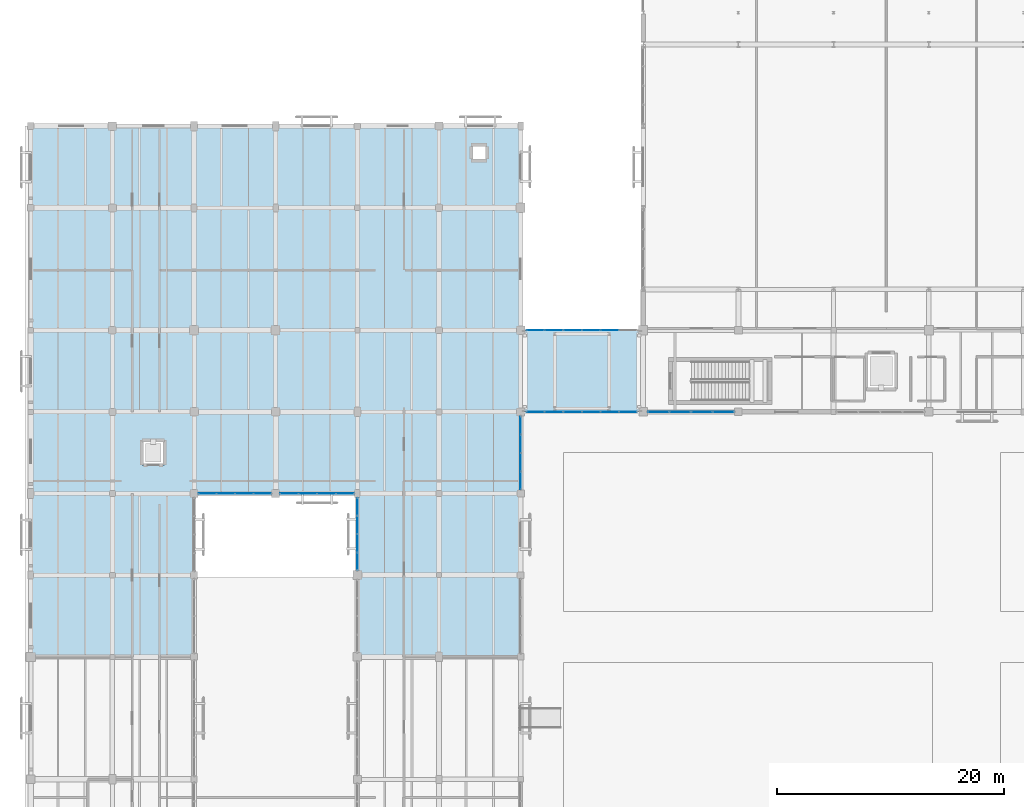
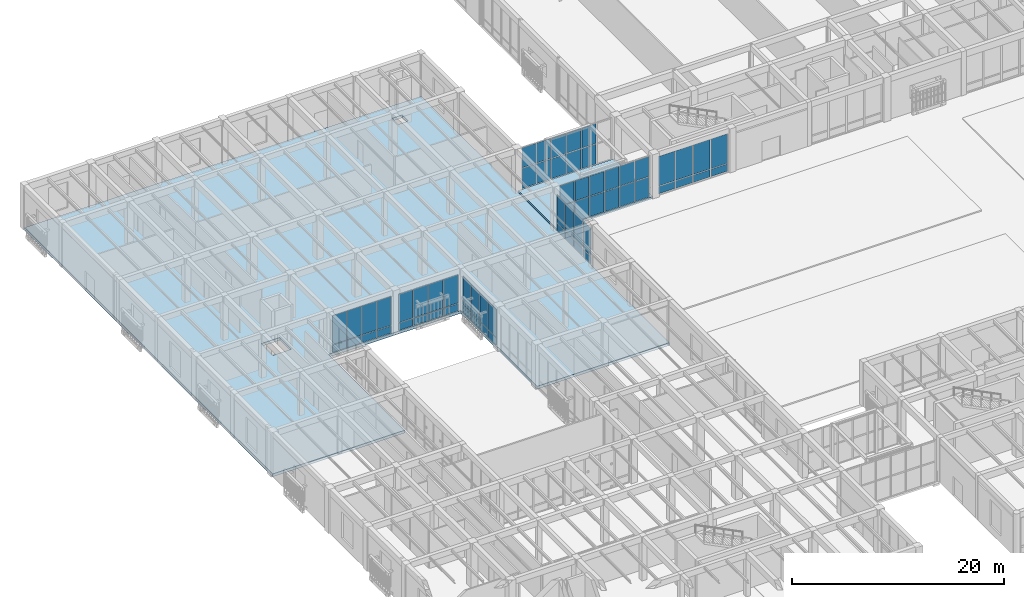
# One storey, part 113 of 169: 62 plates, 2 slabs, 7 elements without a shape of their own.
"""IFC4 building model written with IfcOpenShell, lengths in metres."""

from ifc_helpers import new_model, si_unit, direction, frame, origin, origin_2d, place, context, subcontext, project, spatial, polyline, rectangle, outline, extrude, material, layer, layer_set, type_object, element, aggregate, save


model = new_model("IFC4")

# Units and contexts
model_context = context("Model", 3, precision=1e-05, world=origin(), true_north=direction((0.0, 1.0)))
body_context = subcontext(model_context, "Body", "Model", "MODEL_VIEW")
ifc_project = project(units=[si_unit("LENGTHUNIT", "METRE"), si_unit("AREAUNIT", "SQUARE_METRE"), si_unit("VOLUMEUNIT", "CUBIC_METRE"), si_unit("PLANEANGLEUNIT", "RADIAN"), si_unit("MASSUNIT", "GRAM", prefix="KILO")], contexts=[model_context])

# Site, building, storey
site_placement = place(None, origin())
site = spatial("IfcSite", under=ifc_project, at=site_placement, CompositionType="ELEMENT")
building_placement = place(site_placement, origin())
building = spatial("IfcBuilding", under=site, at=building_placement, Name="Mazaris Harbour Polytechnic", CompositionType="ELEMENT")
storey_placement = place(building_placement, origin())
storey = spatial("IfcBuildingStorey", under=building, at=storey_placement, Name="L00", CompositionType="ELEMENT", Elevation=0.0)

# Curtain wall, plates
ifc_material_1 = material(Name="Anodised Bronze Aluminium and Low-E Glass", Category="aluminium")
ifc_layer_1 = layer(ifc_material_1, 0.14990234375, Name="Anodised Bronze Aluminium and Low-E Glass")
ifc_layer_set_1 = layer_set([ifc_layer_1], Name="Anodised Bronze Aluminium and Low-E Glass")
curtain_wall_type_1 = type_object("IfcCurtainWallType", Name="Workshop Clerestory Curtain Wall", PredefinedType="NOTDEFINED", material=ifc_layer_set_1)
curtain_wall_1_placement = place(storey_placement, origin())
curtain_wall_1 = element("IfcCurtainWall", 1, at=curtain_wall_1_placement, inside=storey, type_object=curtain_wall_type_1, Name="V1 L00 Curtain Wall 1", PredefinedType="NOTDEFINED")
ifc_material_2 = material(Name="Acoustic Low-E Double Glazing", Category="glass")
ifc_layer_2 = layer(ifc_material_2, 0.033935546875, Name="Acoustic Low-E Double Glazing")
ifc_layer_set_2 = layer_set([ifc_layer_2], Name="Acoustic Low-E Double Glazing")
plate_type_1 = type_object("IfcPlateType", Name="Acoustic Laminated Glass Panel 34", PredefinedType="CURTAIN_PANEL", material=ifc_layer_set_2)
plate_1_placement = place(storey_placement, frame((61.093505859375, 75.60009765625, 0.080078125), z_axis=(0.0, 0.0, 1.0), x_axis=(-1.0, 0.0, 0.0)))
plate_1 = element("IfcPlate", 2, at=plate_1_placement, type_object=plate_type_1, Name="CW-04 panel 1.1", PredefinedType="CURTAIN_PANEL", context=body_context, shape_type="SweptSolid", body=[
    extrude(rectangle(XDim=1.779052734375, YDim=0.033935546875, at=origin_2d()), origin(), (0.0, 0.0, 1.0), 0.830078125),
])
plate_2_placement = place(storey_placement, frame((61.093505859375, 75.60009765625, 0.989990234375), z_axis=(0.0, 0.0, 1.0), x_axis=(-1.0, 0.0, 0.0)))
plate_2 = element("IfcPlate", 3, at=plate_2_placement, type_object=plate_type_1, Name="CW-04 panel 1.2", PredefinedType="CURTAIN_PANEL", context=body_context, shape_type="SweptSolid", body=[
    extrude(rectangle(XDim=1.779052734375, YDim=0.033935546875, at=origin_2d()), origin(), (0.0, 0.0, 1.0), 3.39990234375),
])
plate_3_placement = place(storey_placement, frame((59.189453125, 75.60009765625, 0.080078125), z_axis=(0.0, 0.0, 1.0), x_axis=(-1.0, 0.0, 0.0)))
plate_3 = element("IfcPlate", 4, at=plate_3_placement, type_object=plate_type_1, Name="CW-04 panel 2.1", PredefinedType="CURTAIN_PANEL", context=body_context, shape_type="SweptSolid", body=[
    extrude(rectangle(XDim=1.8291015625, YDim=0.033935546875, at=origin_2d()), origin(), (0.0, 0.0, 1.0), 0.830078125),
])
plate_4_placement = place(storey_placement, frame((59.189453125, 75.60009765625, 0.989990234375), z_axis=(0.0, 0.0, 1.0), x_axis=(-1.0, 0.0, 0.0)))
plate_4 = element("IfcPlate", 5, at=plate_4_placement, type_object=plate_type_1, Name="CW-04 panel 2.2", PredefinedType="CURTAIN_PANEL", context=body_context, shape_type="SweptSolid", body=[
    extrude(rectangle(XDim=1.8291015625, YDim=0.033935546875, at=origin_2d()), origin(), (0.0, 0.0, 1.0), 3.39990234375),
])
plate_5_placement = place(storey_placement, frame((57.260498046875, 75.60009765625, 0.080078125), z_axis=(0.0, 0.0, 1.0), x_axis=(-1.0, 0.0, 0.0)))
plate_5 = element("IfcPlate", 6, at=plate_5_placement, type_object=plate_type_1, Name="CW-04 panel 3.1", PredefinedType="CURTAIN_PANEL", context=body_context, shape_type="SweptSolid", body=[
    extrude(rectangle(XDim=1.8291015625, YDim=0.033935546875, at=origin_2d()), origin(), (0.0, 0.0, 1.0), 0.830078125),
])
plate_6_placement = place(storey_placement, frame((57.260498046875, 75.60009765625, 0.989990234375), z_axis=(0.0, 0.0, 1.0), x_axis=(-1.0, 0.0, 0.0)))
plate_6 = element("IfcPlate", 7, at=plate_6_placement, type_object=plate_type_1, Name="CW-04 panel 3.2", PredefinedType="CURTAIN_PANEL", context=body_context, shape_type="SweptSolid", body=[
    extrude(rectangle(XDim=1.8291015625, YDim=0.033935546875, at=origin_2d()), origin(), (0.0, 0.0, 1.0), 3.39990234375),
])
plate_7_placement = place(storey_placement, frame((55.3564453125, 75.60009765625, 0.080078125), z_axis=(0.0, 0.0, 1.0), x_axis=(-1.0, 0.0, 0.0)))
plate_7 = element("IfcPlate", 8, at=plate_7_placement, type_object=plate_type_1, Name="CW-04 panel 4.1", PredefinedType="CURTAIN_PANEL", context=body_context, shape_type="SweptSolid", body=[
    extrude(rectangle(XDim=1.779052734375, YDim=0.033935546875, at=origin_2d()), origin(), (0.0, 0.0, 1.0), 0.830078125),
])
plate_8_placement = place(storey_placement, frame((55.3564453125, 75.60009765625, 0.989990234375), z_axis=(0.0, 0.0, 1.0), x_axis=(-1.0, 0.0, 0.0)))
plate_8 = element("IfcPlate", 9, at=plate_8_placement, type_object=plate_type_1, Name="CW-04 panel 4.2", PredefinedType="CURTAIN_PANEL", context=body_context, shape_type="SweptSolid", body=[
    extrude(rectangle(XDim=1.779052734375, YDim=0.033935546875, at=origin_2d()), origin(), (0.0, 0.0, 1.0), 3.39990234375),
])
aggregate(curtain_wall_1, [plate_1, plate_2, plate_3, plate_4, plate_5, plate_6, plate_7, plate_8])

# Slab
ifc_material_3 = material(Name="Glulam GL28h and Concrete C30/37", Category="concrete")
ifc_layer_3 = layer(ifc_material_3, 0.264892578125, Name="Glulam GL28h and Concrete C30/37")
ifc_layer_set_3 = layer_set([ifc_layer_3], Name="Glulam GL28h and Concrete C30/37")
slab_type_1 = type_object("IfcSlabType", Name="CLT Composite Floor 265", PredefinedType="FLOOR", material=ifc_layer_set_3)
slab_1_placement = place(storey_placement, frame((0.0, 0.0, -0.264892578125)))
element("IfcSlab", 10, at=slab_1_placement, inside=storey, type_object=slab_type_1, Name="PB-W2 L00 Bridge Deck", PredefinedType="FLOOR", context=body_context, shape_type="SweptSolid", body=[
    extrude(outline(polyline([(53.85009765625, 75.60009765625), (53.85009765625, 82.800048828125), (43.35009765625, 82.800048828125), (43.35009765625, 75.60009765625), (53.85009765625, 75.60009765625)])), origin(), (0.0, 0.0, 1.0), 0.264892578125),
])

# Curtain wall, plates
ifc_material_4 = material(Name="Anodised Bronze Aluminium and Low-E Glass", Category="aluminium")
ifc_layer_4 = layer(ifc_material_4, 0.159912109375, Name="Anodised Bronze Aluminium and Low-E Glass")
ifc_layer_set_4 = layer_set([ifc_layer_4], Name="Anodised Bronze Aluminium and Low-E Glass")
curtain_wall_type_2 = type_object("IfcCurtainWallType", Name="Cloister Court Curtain Wall", PredefinedType="NOTDEFINED", material=ifc_layer_set_4)
curtain_wall_2_placement = place(storey_placement, origin())
curtain_wall_2 = element("IfcCurtainWall", 11, at=curtain_wall_2_placement, inside=storey, type_object=curtain_wall_type_2, Name="V4 L00 Curtain Wall 98", PredefinedType="NOTDEFINED")
ifc_material_5 = material(Name="Low-E Double Glazing", Category="glass")
ifc_layer_5 = layer(ifc_material_5, 0.028076171875, Name="Low-E Double Glazing")
ifc_layer_set_5 = layer_set([ifc_layer_5], Name="Low-E Double Glazing")
plate_type_2 = type_object("IfcPlateType", Name="Low-E Vision Glass Panel 28", PredefinedType="CURTAIN_PANEL", material=ifc_layer_set_5)
plate_9_placement = place(storey_placement, frame((43.199951171875, 74.42041015625, 0.080078125), z_axis=(0.0, 0.0, 1.0), x_axis=(0.0, -1.0, 0.0)))
plate_9 = element("IfcPlate", 12, at=plate_9_placement, type_object=plate_type_2, Name="CW-02 panel 1.1", PredefinedType="CURTAIN_PANEL", context=body_context, shape_type="SweptSolid", body=[
    extrude(rectangle(XDim=1.51513671875, YDim=0.028076171875, at=origin_2d()), origin(), (0.0, 0.0, 1.0), 0.830078125),
])
plate_10_placement = place(storey_placement, frame((43.199951171875, 74.42041015625, 0.990234375), z_axis=(0.0, 0.0, 1.0), x_axis=(0.0, -1.0, 0.0)))
plate_10 = element("IfcPlate", 13, at=plate_10_placement, type_object=plate_type_2, Name="CW-02 panel 1.2", PredefinedType="CURTAIN_PANEL", context=body_context, shape_type="SweptSolid", body=[
    extrude(rectangle(XDim=1.51513671875, YDim=0.028076171875, at=origin_2d()), origin(), (0.0, 0.0, 1.0), 3.219970703125),
])
plate_11_placement = place(storey_placement, frame((43.199951171875, 72.80517578125, 0.080078125), z_axis=(0.0, 0.0, 1.0), x_axis=(0.0, -1.0, 0.0)))
plate_11 = element("IfcPlate", 14, at=plate_11_placement, type_object=plate_type_2, Name="CW-02 panel 2.1", PredefinedType="CURTAIN_PANEL", context=body_context, shape_type="SweptSolid", body=[
    extrude(rectangle(XDim=1.55517578125, YDim=0.028076171875, at=origin_2d()), origin(), (0.0, 0.0, 1.0), 0.830078125),
])
plate_12_placement = place(storey_placement, frame((43.199951171875, 72.80517578125, 0.990234375), z_axis=(0.0, 0.0, 1.0), x_axis=(0.0, -1.0, 0.0)))
plate_12 = element("IfcPlate", 15, at=plate_12_placement, type_object=plate_type_2, Name="CW-02 panel 2.2", PredefinedType="CURTAIN_PANEL", context=body_context, shape_type="SweptSolid", body=[
    extrude(rectangle(XDim=1.55517578125, YDim=0.028076171875, at=origin_2d()), origin(), (0.0, 0.0, 1.0), 3.219970703125),
])
plate_13_placement = place(storey_placement, frame((43.199951171875, 71.169921875, 0.080078125), z_axis=(0.0, 0.0, 1.0), x_axis=(0.0, -1.0, 0.0)))
plate_13 = element("IfcPlate", 16, at=plate_13_placement, type_object=plate_type_2, Name="CW-02 panel 3.1", PredefinedType="CURTAIN_PANEL", context=body_context, shape_type="SweptSolid", body=[
    extrude(rectangle(XDim=1.55517578125, YDim=0.028076171875, at=origin_2d()), origin(), (0.0, 0.0, 1.0), 0.830078125),
])
plate_14_placement = place(storey_placement, frame((43.199951171875, 71.169921875, 0.990234375), z_axis=(0.0, 0.0, 1.0), x_axis=(0.0, -1.0, 0.0)))
plate_14 = element("IfcPlate", 17, at=plate_14_placement, type_object=plate_type_2, Name="CW-02 panel 3.2", PredefinedType="CURTAIN_PANEL", context=body_context, shape_type="SweptSolid", body=[
    extrude(rectangle(XDim=1.55517578125, YDim=0.028076171875, at=origin_2d()), origin(), (0.0, 0.0, 1.0), 3.219970703125),
])
plate_15_placement = place(storey_placement, frame((43.199951171875, 69.5546875, 0.080078125), z_axis=(0.0, 0.0, 1.0), x_axis=(0.0, -1.0, 0.0)))
plate_15 = element("IfcPlate", 18, at=plate_15_placement, type_object=plate_type_2, Name="CW-02 panel 4.1", PredefinedType="CURTAIN_PANEL", context=body_context, shape_type="SweptSolid", body=[
    extrude(rectangle(XDim=1.51513671875, YDim=0.028076171875, at=origin_2d()), origin(), (0.0, 0.0, 1.0), 0.830078125),
])
plate_16_placement = place(storey_placement, frame((43.199951171875, 69.5546875, 0.990234375), z_axis=(0.0, 0.0, 1.0), x_axis=(0.0, -1.0, 0.0)))
plate_16 = element("IfcPlate", 19, at=plate_16_placement, type_object=plate_type_2, Name="CW-02 panel 4.2", PredefinedType="CURTAIN_PANEL", context=body_context, shape_type="SweptSolid", body=[
    extrude(rectangle(XDim=1.51513671875, YDim=0.028076171875, at=origin_2d()), origin(), (0.0, 0.0, 1.0), 3.219970703125),
])
aggregate(curtain_wall_2, [plate_9, plate_10, plate_11, plate_12, plate_13, plate_14, plate_15, plate_16])

curtain_wall_3_placement = place(storey_placement, origin())
curtain_wall_3 = element("IfcCurtainWall", 20, at=curtain_wall_3_placement, inside=storey, type_object=curtain_wall_type_2, Name="V4 L00 Curtain Wall 101", PredefinedType="NOTDEFINED")
plate_17_placement = place(storey_placement, frame((20.423583984375, 68.39990234375, 0.080078125), z_axis=(0.0, 0.0, 1.0), x_axis=(-1.0, 0.0, 0.0)))
plate_17 = element("IfcPlate", 21, at=plate_17_placement, type_object=plate_type_2, Name="CW-02 panel 1.1", PredefinedType="CURTAIN_PANEL", context=body_context, shape_type="SweptSolid", body=[
    extrude(rectangle(XDim=1.509033203125, YDim=0.028076171875, at=origin_2d()), origin(), (0.0, 0.0, 1.0), 0.830078125),
])
plate_18_placement = place(storey_placement, frame((20.423583984375, 68.39990234375, 0.98974609375), z_axis=(0.0, 0.0, 1.0), x_axis=(-1.0, 0.0, 0.0)))
plate_18 = element("IfcPlate", 22, at=plate_18_placement, type_object=plate_type_2, Name="CW-02 panel 1.2", PredefinedType="CURTAIN_PANEL", context=body_context, shape_type="SweptSolid", body=[
    extrude(rectangle(XDim=1.509033203125, YDim=0.028076171875, at=origin_2d()), origin(), (0.0, 0.0, 1.0), 3.320068359375),
])
plate_19_placement = place(storey_placement, frame((18.814453125, 68.39990234375, 0.080078125), z_axis=(0.0, 0.0, 1.0), x_axis=(-1.0, 0.0, 0.0)))
plate_19 = element("IfcPlate", 23, at=plate_19_placement, type_object=plate_type_2, Name="CW-02 panel 2.1", PredefinedType="CURTAIN_PANEL", context=body_context, shape_type="SweptSolid", body=[
    extrude(rectangle(XDim=1.549072265625, YDim=0.028076171875, at=origin_2d()), origin(), (0.0, 0.0, 1.0), 0.830078125),
])
plate_20_placement = place(storey_placement, frame((18.814453125, 68.39990234375, 0.98974609375), z_axis=(0.0, 0.0, 1.0), x_axis=(-1.0, 0.0, 0.0)))
plate_20 = element("IfcPlate", 24, at=plate_20_placement, type_object=plate_type_2, Name="CW-02 panel 2.2", PredefinedType="CURTAIN_PANEL", context=body_context, shape_type="SweptSolid", body=[
    extrude(rectangle(XDim=1.549072265625, YDim=0.028076171875, at=origin_2d()), origin(), (0.0, 0.0, 1.0), 3.320068359375),
])
plate_21_placement = place(storey_placement, frame((17.185546875, 68.39990234375, 0.080078125), z_axis=(0.0, 0.0, 1.0), x_axis=(-1.0, 0.0, 0.0)))
plate_21 = element("IfcPlate", 25, at=plate_21_placement, type_object=plate_type_2, Name="CW-02 panel 3.1", PredefinedType="CURTAIN_PANEL", context=body_context, shape_type="SweptSolid", body=[
    extrude(rectangle(XDim=1.549072265625, YDim=0.028076171875, at=origin_2d()), origin(), (0.0, 0.0, 1.0), 0.830078125),
])
plate_22_placement = place(storey_placement, frame((17.185546875, 68.39990234375, 0.98974609375), z_axis=(0.0, 0.0, 1.0), x_axis=(-1.0, 0.0, 0.0)))
plate_22 = element("IfcPlate", 26, at=plate_22_placement, type_object=plate_type_2, Name="CW-02 panel 3.2", PredefinedType="CURTAIN_PANEL", context=body_context, shape_type="SweptSolid", body=[
    extrude(rectangle(XDim=1.549072265625, YDim=0.028076171875, at=origin_2d()), origin(), (0.0, 0.0, 1.0), 3.320068359375),
])
plate_23_placement = place(storey_placement, frame((15.576416015625, 68.39990234375, 0.080078125), z_axis=(0.0, 0.0, 1.0), x_axis=(-1.0, 0.0, 0.0)))
plate_23 = element("IfcPlate", 27, at=plate_23_placement, type_object=plate_type_2, Name="CW-02 panel 4.1", PredefinedType="CURTAIN_PANEL", context=body_context, shape_type="SweptSolid", body=[
    extrude(rectangle(XDim=1.509033203125, YDim=0.028076171875, at=origin_2d()), origin(), (0.0, 0.0, 1.0), 0.830078125),
])
plate_24_placement = place(storey_placement, frame((15.576416015625, 68.39990234375, 0.98974609375), z_axis=(0.0, 0.0, 1.0), x_axis=(-1.0, 0.0, 0.0)))
plate_24 = element("IfcPlate", 28, at=plate_24_placement, type_object=plate_type_2, Name="CW-02 panel 4.2", PredefinedType="CURTAIN_PANEL", context=body_context, shape_type="SweptSolid", body=[
    extrude(rectangle(XDim=1.509033203125, YDim=0.028076171875, at=origin_2d()), origin(), (0.0, 0.0, 1.0), 3.320068359375),
])
aggregate(curtain_wall_3, [plate_17, plate_18, plate_19, plate_20, plate_21, plate_22, plate_23, plate_24])

curtain_wall_4_placement = place(storey_placement, origin())
curtain_wall_4 = element("IfcCurtainWall", 29, at=curtain_wall_4_placement, inside=storey, type_object=curtain_wall_type_2, Name="V4 L00 Curtain Wall 102", PredefinedType="NOTDEFINED")
plate_25_placement = place(storey_placement, frame((27.7109375, 68.39990234375, 0.080078125), z_axis=(0.0, 0.0, 1.0), x_axis=(-1.0, 0.0, 0.0)))
plate_25 = element("IfcPlate", 30, at=plate_25_placement, type_object=plate_type_2, Name="CW-02 panel 1.1", PredefinedType="CURTAIN_PANEL", context=body_context, shape_type="SweptSolid", body=[
    extrude(rectangle(XDim=1.533935546875, YDim=0.028076171875, at=origin_2d()), origin(), (0.0, 0.0, 1.0), 0.830078125),
])
plate_26_placement = place(storey_placement, frame((27.7109375, 68.39990234375, 0.989990234375), z_axis=(0.0, 0.0, 1.0), x_axis=(-1.0, 0.0, 0.0)))
plate_26 = element("IfcPlate", 31, at=plate_26_placement, type_object=plate_type_2, Name="CW-02 panel 1.2", PredefinedType="CURTAIN_PANEL", context=body_context, shape_type="SweptSolid", body=[
    extrude(rectangle(XDim=1.533935546875, YDim=0.028076171875, at=origin_2d()), origin(), (0.0, 0.0, 1.0), 3.27001953125),
])
plate_27_placement = place(storey_placement, frame((26.076904296875, 68.39990234375, 0.080078125), z_axis=(0.0, 0.0, 1.0), x_axis=(-1.0, 0.0, 0.0)))
plate_27 = element("IfcPlate", 32, at=plate_27_placement, type_object=plate_type_2, Name="CW-02 panel 2.1", PredefinedType="CURTAIN_PANEL", context=body_context, shape_type="SweptSolid", body=[
    extrude(rectangle(XDim=1.573974609375, YDim=0.028076171875, at=origin_2d()), origin(), (0.0, 0.0, 1.0), 0.830078125),
])
plate_28_placement = place(storey_placement, frame((26.076904296875, 68.39990234375, 0.989990234375), z_axis=(0.0, 0.0, 1.0), x_axis=(-1.0, 0.0, 0.0)))
plate_28 = element("IfcPlate", 33, at=plate_28_placement, type_object=plate_type_2, Name="CW-02 panel 2.2", PredefinedType="CURTAIN_PANEL", context=body_context, shape_type="SweptSolid", body=[
    extrude(rectangle(XDim=1.573974609375, YDim=0.028076171875, at=origin_2d()), origin(), (0.0, 0.0, 1.0), 3.27001953125),
])
plate_29_placement = place(storey_placement, frame((24.423095703125, 68.39990234375, 0.080078125), z_axis=(0.0, 0.0, 1.0), x_axis=(-1.0, 0.0, 0.0)))
plate_29 = element("IfcPlate", 34, at=plate_29_placement, type_object=plate_type_2, Name="CW-02 panel 3.1", PredefinedType="CURTAIN_PANEL", context=body_context, shape_type="SweptSolid", body=[
    extrude(rectangle(XDim=1.573974609375, YDim=0.028076171875, at=origin_2d()), origin(), (0.0, 0.0, 1.0), 0.830078125),
])
plate_30_placement = place(storey_placement, frame((24.423095703125, 68.39990234375, 0.989990234375), z_axis=(0.0, 0.0, 1.0), x_axis=(-1.0, 0.0, 0.0)))
plate_30 = element("IfcPlate", 35, at=plate_30_placement, type_object=plate_type_2, Name="CW-02 panel 3.2", PredefinedType="CURTAIN_PANEL", context=body_context, shape_type="SweptSolid", body=[
    extrude(rectangle(XDim=1.573974609375, YDim=0.028076171875, at=origin_2d()), origin(), (0.0, 0.0, 1.0), 3.27001953125),
])
plate_31_placement = place(storey_placement, frame((22.7890625, 68.39990234375, 0.080078125), z_axis=(0.0, 0.0, 1.0), x_axis=(-1.0, 0.0, 0.0)))
plate_31 = element("IfcPlate", 36, at=plate_31_placement, type_object=plate_type_2, Name="CW-02 panel 4.1", PredefinedType="CURTAIN_PANEL", context=body_context, shape_type="SweptSolid", body=[
    extrude(rectangle(XDim=1.533935546875, YDim=0.028076171875, at=origin_2d()), origin(), (0.0, 0.0, 1.0), 0.830078125),
])
plate_32_placement = place(storey_placement, frame((22.7890625, 68.39990234375, 0.989990234375), z_axis=(0.0, 0.0, 1.0), x_axis=(-1.0, 0.0, 0.0)))
plate_32 = element("IfcPlate", 37, at=plate_32_placement, type_object=plate_type_2, Name="CW-02 panel 4.2", PredefinedType="CURTAIN_PANEL", context=body_context, shape_type="SweptSolid", body=[
    extrude(rectangle(XDim=1.533935546875, YDim=0.028076171875, at=origin_2d()), origin(), (0.0, 0.0, 1.0), 3.27001953125),
])
aggregate(curtain_wall_4, [plate_25, plate_26, plate_27, plate_28, plate_29, plate_30, plate_31, plate_32])

curtain_wall_5_placement = place(storey_placement, origin())
curtain_wall_5 = element("IfcCurtainWall", 38, at=curtain_wall_5_placement, inside=storey, type_object=curtain_wall_type_2, Name="V4 L00 Curtain Wall 110", PredefinedType="NOTDEFINED")
plate_33_placement = place(storey_placement, frame((28.800048828125, 67.229736328125, 0.080078125), z_axis=(0.0, 0.0, 1.0), x_axis=(0.0, -1.0, 0.0)))
plate_33 = element("IfcPlate", 39, at=plate_33_placement, type_object=plate_type_2, Name="CW-02 panel 1.1", PredefinedType="CURTAIN_PANEL", context=body_context, shape_type="SweptSolid", body=[
    extrude(rectangle(XDim=1.49658203125, YDim=0.028076171875, at=origin_2d()), origin(), (0.0, 0.0, 1.0), 0.830078125),
])
plate_34_placement = place(storey_placement, frame((28.800048828125, 67.229736328125, 0.990234375), z_axis=(0.0, 0.0, 1.0), x_axis=(0.0, -1.0, 0.0)))
plate_34 = element("IfcPlate", 40, at=plate_34_placement, type_object=plate_type_2, Name="CW-02 panel 1.2", PredefinedType="CURTAIN_PANEL", context=body_context, shape_type="SweptSolid", body=[
    extrude(rectangle(XDim=1.49658203125, YDim=0.028076171875, at=origin_2d()), origin(), (0.0, 0.0, 1.0), 3.219970703125),
])
plate_35_placement = place(storey_placement, frame((28.800048828125, 65.63330078125, 0.080078125), z_axis=(0.0, 0.0, 1.0), x_axis=(0.0, -1.0, 0.0)))
plate_35 = element("IfcPlate", 41, at=plate_35_placement, type_object=plate_type_2, Name="CW-02 panel 2.1", PredefinedType="CURTAIN_PANEL", context=body_context, shape_type="SweptSolid", body=[
    extrude(rectangle(XDim=1.53662109375, YDim=0.028076171875, at=origin_2d()), origin(), (0.0, 0.0, 1.0), 0.830078125),
])
plate_36_placement = place(storey_placement, frame((28.800048828125, 65.63330078125, 0.990234375), z_axis=(0.0, 0.0, 1.0), x_axis=(0.0, -1.0, 0.0)))
plate_36 = element("IfcPlate", 42, at=plate_36_placement, type_object=plate_type_2, Name="CW-02 panel 2.2", PredefinedType="CURTAIN_PANEL", context=body_context, shape_type="SweptSolid", body=[
    extrude(rectangle(XDim=1.53662109375, YDim=0.028076171875, at=origin_2d()), origin(), (0.0, 0.0, 1.0), 3.219970703125),
])
plate_37_placement = place(storey_placement, frame((28.800048828125, 64.016845703125, 0.080078125), z_axis=(0.0, 0.0, 1.0), x_axis=(0.0, -1.0, 0.0)))
plate_37 = element("IfcPlate", 43, at=plate_37_placement, type_object=plate_type_2, Name="CW-02 panel 3.1", PredefinedType="CURTAIN_PANEL", context=body_context, shape_type="SweptSolid", body=[
    extrude(rectangle(XDim=1.53662109375, YDim=0.028076171875, at=origin_2d()), origin(), (0.0, 0.0, 1.0), 0.830078125),
])
plate_38_placement = place(storey_placement, frame((28.800048828125, 64.016845703125, 0.990234375), z_axis=(0.0, 0.0, 1.0), x_axis=(0.0, -1.0, 0.0)))
plate_38 = element("IfcPlate", 44, at=plate_38_placement, type_object=plate_type_2, Name="CW-02 panel 3.2", PredefinedType="CURTAIN_PANEL", context=body_context, shape_type="SweptSolid", body=[
    extrude(rectangle(XDim=1.53662109375, YDim=0.028076171875, at=origin_2d()), origin(), (0.0, 0.0, 1.0), 3.219970703125),
])
plate_39_placement = place(storey_placement, frame((28.800048828125, 62.420166015625, 0.080078125), z_axis=(0.0, 0.0, 1.0), x_axis=(0.0, -1.0, 0.0)))
plate_39 = element("IfcPlate", 45, at=plate_39_placement, type_object=plate_type_2, Name="CW-02 panel 4.1", PredefinedType="CURTAIN_PANEL", context=body_context, shape_type="SweptSolid", body=[
    extrude(rectangle(XDim=1.49658203125, YDim=0.028076171875, at=origin_2d()), origin(), (0.0, 0.0, 1.0), 0.830078125),
])
plate_40_placement = place(storey_placement, frame((28.800048828125, 62.420166015625, 0.990234375), z_axis=(0.0, 0.0, 1.0), x_axis=(0.0, -1.0, 0.0)))
plate_40 = element("IfcPlate", 46, at=plate_40_placement, type_object=plate_type_2, Name="CW-02 panel 4.2", PredefinedType="CURTAIN_PANEL", context=body_context, shape_type="SweptSolid", body=[
    extrude(rectangle(XDim=1.49658203125, YDim=0.028076171875, at=origin_2d()), origin(), (0.0, 0.0, 1.0), 3.219970703125),
])
aggregate(curtain_wall_5, [plate_33, plate_34, plate_35, plate_36, plate_37, plate_38, plate_39, plate_40])

ifc_material_6 = material(Name="Anodised Bronze Aluminium and Low-E Glass", Category="aluminium")
ifc_layer_6 = layer(ifc_material_6, 0.139892578125, Name="Anodised Bronze Aluminium and Low-E Glass")
ifc_layer_set_6 = layer_set([ifc_layer_6], Name="Anodised Bronze Aluminium and Low-E Glass")
curtain_wall_type_3 = type_object("IfcCurtainWallType", Name="Seismic Link Bridge Glazing", PredefinedType="NOTDEFINED", material=ifc_layer_set_6)
curtain_wall_6_placement = place(storey_placement, origin())
curtain_wall_6 = element("IfcCurtainWall", 47, at=curtain_wall_6_placement, inside=storey, type_object=curtain_wall_type_3, Name="PB-W2 L00 Bridge Glazing", PredefinedType="NOTDEFINED")
plate_41_placement = place(storey_placement, frame((44.52001953125, 75.60009765625, 0.080078125), z_axis=(0.0, 0.0, 1.0), x_axis=(1.0, 0.0, 0.0)))
plate_41 = element("IfcPlate", 48, at=plate_41_placement, type_object=plate_type_2, Name="CW-05 panel 1.1", PredefinedType="CURTAIN_PANEL", context=body_context, shape_type="SweptSolid", body=[
    extrude(rectangle(XDim=1.52001953125, YDim=0.028076171875, at=origin_2d()), origin(), (0.0, 0.0, 1.0), 2.297607421875),
])
plate_42_placement = place(storey_placement, frame((44.52001953125, 75.60009765625, 2.45751953125), z_axis=(0.0, 0.0, 1.0), x_axis=(1.0, 0.0, 0.0)))
plate_42 = element("IfcPlate", 49, at=plate_42_placement, type_object=plate_type_2, Name="CW-05 panel 1.2", PredefinedType="CURTAIN_PANEL", context=body_context, shape_type="SweptSolid", body=[
    extrude(rectangle(XDim=1.52001953125, YDim=0.028076171875, at=origin_2d()), origin(), (0.0, 0.0, 1.0), 2.297607421875),
])
plate_43_placement = place(storey_placement, frame((46.139892578125, 75.60009765625, 0.080078125), z_axis=(0.0, 0.0, 1.0), x_axis=(1.0, 0.0, 0.0)))
plate_43 = element("IfcPlate", 50, at=plate_43_placement, type_object=plate_type_2, Name="CW-05 panel 2.1", PredefinedType="CURTAIN_PANEL", context=body_context, shape_type="SweptSolid", body=[
    extrude(rectangle(XDim=1.56005859375, YDim=0.028076171875, at=origin_2d()), origin(), (0.0, 0.0, 1.0), 2.297607421875),
])
plate_44_placement = place(storey_placement, frame((46.139892578125, 75.60009765625, 2.45751953125), z_axis=(0.0, 0.0, 1.0), x_axis=(1.0, 0.0, 0.0)))
plate_44 = element("IfcPlate", 51, at=plate_44_placement, type_object=plate_type_2, Name="CW-05 panel 2.2", PredefinedType="CURTAIN_PANEL", context=body_context, shape_type="SweptSolid", body=[
    extrude(rectangle(XDim=1.56005859375, YDim=0.028076171875, at=origin_2d()), origin(), (0.0, 0.0, 1.0), 2.297607421875),
])
plate_45_placement = place(storey_placement, frame((47.780029296875, 75.60009765625, 0.080078125), z_axis=(0.0, 0.0, 1.0), x_axis=(1.0, 0.0, 0.0)))
plate_45 = element("IfcPlate", 52, at=plate_45_placement, type_object=plate_type_2, Name="CW-05 panel 3.1", PredefinedType="CURTAIN_PANEL", context=body_context, shape_type="SweptSolid", body=[
    extrude(rectangle(XDim=1.56005859375, YDim=0.028076171875, at=origin_2d()), origin(), (0.0, 0.0, 1.0), 2.297607421875),
])
plate_46_placement = place(storey_placement, frame((47.780029296875, 75.60009765625, 2.45751953125), z_axis=(0.0, 0.0, 1.0), x_axis=(1.0, 0.0, 0.0)))
plate_46 = element("IfcPlate", 53, at=plate_46_placement, type_object=plate_type_2, Name="CW-05 panel 3.2", PredefinedType="CURTAIN_PANEL", context=body_context, shape_type="SweptSolid", body=[
    extrude(rectangle(XDim=1.56005859375, YDim=0.028076171875, at=origin_2d()), origin(), (0.0, 0.0, 1.0), 2.297607421875),
])
plate_47_placement = place(storey_placement, frame((49.419921875, 75.60009765625, 0.080078125), z_axis=(0.0, 0.0, 1.0), x_axis=(1.0, 0.0, 0.0)))
plate_47 = element("IfcPlate", 54, at=plate_47_placement, type_object=plate_type_2, Name="CW-05 panel 4.1", PredefinedType="CURTAIN_PANEL", context=body_context, shape_type="SweptSolid", body=[
    extrude(rectangle(XDim=1.56005859375, YDim=0.028076171875, at=origin_2d()), origin(), (0.0, 0.0, 1.0), 2.297607421875),
])
plate_48_placement = place(storey_placement, frame((49.419921875, 75.60009765625, 2.45751953125), z_axis=(0.0, 0.0, 1.0), x_axis=(1.0, 0.0, 0.0)))
plate_48 = element("IfcPlate", 55, at=plate_48_placement, type_object=plate_type_2, Name="CW-05 panel 4.2", PredefinedType="CURTAIN_PANEL", context=body_context, shape_type="SweptSolid", body=[
    extrude(rectangle(XDim=1.56005859375, YDim=0.028076171875, at=origin_2d()), origin(), (0.0, 0.0, 1.0), 2.297607421875),
])
plate_49_placement = place(storey_placement, frame((51.06005859375, 75.60009765625, 0.080078125), z_axis=(0.0, 0.0, 1.0), x_axis=(1.0, 0.0, 0.0)))
plate_49 = element("IfcPlate", 56, at=plate_49_placement, type_object=plate_type_2, Name="CW-05 panel 5.1", PredefinedType="CURTAIN_PANEL", context=body_context, shape_type="SweptSolid", body=[
    extrude(rectangle(XDim=1.56005859375, YDim=0.028076171875, at=origin_2d()), origin(), (0.0, 0.0, 1.0), 2.297607421875),
])
plate_50_placement = place(storey_placement, frame((51.06005859375, 75.60009765625, 2.45751953125), z_axis=(0.0, 0.0, 1.0), x_axis=(1.0, 0.0, 0.0)))
plate_50 = element("IfcPlate", 57, at=plate_50_placement, type_object=plate_type_2, Name="CW-05 panel 5.2", PredefinedType="CURTAIN_PANEL", context=body_context, shape_type="SweptSolid", body=[
    extrude(rectangle(XDim=1.56005859375, YDim=0.028076171875, at=origin_2d()), origin(), (0.0, 0.0, 1.0), 2.297607421875),
])
plate_51_placement = place(storey_placement, frame((52.679931640625, 75.60009765625, 0.080078125), z_axis=(0.0, 0.0, 1.0), x_axis=(1.0, 0.0, 0.0)))
plate_51 = element("IfcPlate", 58, at=plate_51_placement, type_object=plate_type_2, Name="CW-05 panel 6.1", PredefinedType="CURTAIN_PANEL", context=body_context, shape_type="SweptSolid", body=[
    extrude(rectangle(XDim=1.52001953125, YDim=0.028076171875, at=origin_2d()), origin(), (0.0, 0.0, 1.0), 2.297607421875),
])
plate_52_placement = place(storey_placement, frame((52.679931640625, 75.60009765625, 2.45751953125), z_axis=(0.0, 0.0, 1.0), x_axis=(1.0, 0.0, 0.0)))
plate_52 = element("IfcPlate", 59, at=plate_52_placement, type_object=plate_type_2, Name="CW-05 panel 6.2", PredefinedType="CURTAIN_PANEL", context=body_context, shape_type="SweptSolid", body=[
    extrude(rectangle(XDim=1.52001953125, YDim=0.028076171875, at=origin_2d()), origin(), (0.0, 0.0, 1.0), 2.297607421875),
])
aggregate(curtain_wall_6, [plate_41, plate_42, plate_43, plate_44, plate_45, plate_46, plate_47, plate_48, plate_49, plate_50, plate_51, plate_52])

curtain_wall_7_placement = place(storey_placement, origin())
curtain_wall_7 = element("IfcCurtainWall", 60, at=curtain_wall_7_placement, inside=storey, type_object=curtain_wall_type_3, Name="PB-W2 L00 Bridge Glazing", PredefinedType="NOTDEFINED")
plate_53_placement = place(storey_placement, frame((51.06005859375, 82.800048828125, 0.080078125), z_axis=(0.0, 0.0, 1.0), x_axis=(-1.0, 0.0, 0.0)))
plate_53 = element("IfcPlate", 61, at=plate_53_placement, type_object=plate_type_2, Name="CW-05 panel 2.1", PredefinedType="CURTAIN_PANEL", context=body_context, shape_type="SweptSolid", body=[
    extrude(rectangle(XDim=1.56005859375, YDim=0.028076171875, at=origin_2d()), origin(), (0.0, 0.0, 1.0), 2.297607421875),
])
plate_54_placement = place(storey_placement, frame((51.06005859375, 82.800048828125, 2.45751953125), z_axis=(0.0, 0.0, 1.0), x_axis=(-1.0, 0.0, 0.0)))
plate_54 = element("IfcPlate", 62, at=plate_54_placement, type_object=plate_type_2, Name="CW-05 panel 2.2", PredefinedType="CURTAIN_PANEL", context=body_context, shape_type="SweptSolid", body=[
    extrude(rectangle(XDim=1.56005859375, YDim=0.028076171875, at=origin_2d()), origin(), (0.0, 0.0, 1.0), 2.297607421875),
])
plate_55_placement = place(storey_placement, frame((49.419921875, 82.800048828125, 0.080078125), z_axis=(0.0, 0.0, 1.0), x_axis=(-1.0, 0.0, 0.0)))
plate_55 = element("IfcPlate", 63, at=plate_55_placement, type_object=plate_type_2, Name="CW-05 panel 3.1", PredefinedType="CURTAIN_PANEL", context=body_context, shape_type="SweptSolid", body=[
    extrude(rectangle(XDim=1.56005859375, YDim=0.028076171875, at=origin_2d()), origin(), (0.0, 0.0, 1.0), 2.297607421875),
])
plate_56_placement = place(storey_placement, frame((49.419921875, 82.800048828125, 2.45751953125), z_axis=(0.0, 0.0, 1.0), x_axis=(-1.0, 0.0, 0.0)))
plate_56 = element("IfcPlate", 64, at=plate_56_placement, type_object=plate_type_2, Name="CW-05 panel 3.2", PredefinedType="CURTAIN_PANEL", context=body_context, shape_type="SweptSolid", body=[
    extrude(rectangle(XDim=1.56005859375, YDim=0.028076171875, at=origin_2d()), origin(), (0.0, 0.0, 1.0), 2.297607421875),
])
plate_57_placement = place(storey_placement, frame((47.780029296875, 82.800048828125, 0.080078125), z_axis=(0.0, 0.0, 1.0), x_axis=(-1.0, 0.0, 0.0)))
plate_57 = element("IfcPlate", 65, at=plate_57_placement, type_object=plate_type_2, Name="CW-05 panel 4.1", PredefinedType="CURTAIN_PANEL", context=body_context, shape_type="SweptSolid", body=[
    extrude(rectangle(XDim=1.56005859375, YDim=0.028076171875, at=origin_2d()), origin(), (0.0, 0.0, 1.0), 2.297607421875),
])
plate_58_placement = place(storey_placement, frame((47.780029296875, 82.800048828125, 2.45751953125), z_axis=(0.0, 0.0, 1.0), x_axis=(-1.0, 0.0, 0.0)))
plate_58 = element("IfcPlate", 66, at=plate_58_placement, type_object=plate_type_2, Name="CW-05 panel 4.2", PredefinedType="CURTAIN_PANEL", context=body_context, shape_type="SweptSolid", body=[
    extrude(rectangle(XDim=1.56005859375, YDim=0.028076171875, at=origin_2d()), origin(), (0.0, 0.0, 1.0), 2.297607421875),
])
plate_59_placement = place(storey_placement, frame((46.139892578125, 82.800048828125, 0.080078125), z_axis=(0.0, 0.0, 1.0), x_axis=(-1.0, 0.0, 0.0)))
plate_59 = element("IfcPlate", 67, at=plate_59_placement, type_object=plate_type_2, Name="CW-05 panel 5.1", PredefinedType="CURTAIN_PANEL", context=body_context, shape_type="SweptSolid", body=[
    extrude(rectangle(XDim=1.56005859375, YDim=0.028076171875, at=origin_2d()), origin(), (0.0, 0.0, 1.0), 2.297607421875),
])
plate_60_placement = place(storey_placement, frame((46.139892578125, 82.800048828125, 2.45751953125), z_axis=(0.0, 0.0, 1.0), x_axis=(-1.0, 0.0, 0.0)))
plate_60 = element("IfcPlate", 68, at=plate_60_placement, type_object=plate_type_2, Name="CW-05 panel 5.2", PredefinedType="CURTAIN_PANEL", context=body_context, shape_type="SweptSolid", body=[
    extrude(rectangle(XDim=1.56005859375, YDim=0.028076171875, at=origin_2d()), origin(), (0.0, 0.0, 1.0), 2.297607421875),
])
plate_61_placement = place(storey_placement, frame((44.52001953125, 82.800048828125, 0.080078125), z_axis=(0.0, 0.0, 1.0), x_axis=(-1.0, 0.0, 0.0)))
plate_61 = element("IfcPlate", 69, at=plate_61_placement, type_object=plate_type_2, Name="CW-05 panel 6.1", PredefinedType="CURTAIN_PANEL", context=body_context, shape_type="SweptSolid", body=[
    extrude(rectangle(XDim=1.52001953125, YDim=0.028076171875, at=origin_2d()), origin(), (0.0, 0.0, 1.0), 2.297607421875),
])
plate_62_placement = place(storey_placement, frame((44.52001953125, 82.800048828125, 2.45751953125), z_axis=(0.0, 0.0, 1.0), x_axis=(-1.0, 0.0, 0.0)))
plate_62 = element("IfcPlate", 70, at=plate_62_placement, type_object=plate_type_2, Name="CW-05 panel 6.2", PredefinedType="CURTAIN_PANEL", context=body_context, shape_type="SweptSolid", body=[
    extrude(rectangle(XDim=1.52001953125, YDim=0.028076171875, at=origin_2d()), origin(), (0.0, 0.0, 1.0), 2.297607421875),
])
aggregate(curtain_wall_7, [plate_53, plate_54, plate_55, plate_56, plate_57, plate_58, plate_59, plate_60, plate_61, plate_62])

# Slab
ifc_material_7 = material(Name="Concrete C35/45", Category="concrete")
ifc_layer_7 = layer(ifc_material_7, 0.320068359375, Name="Concrete C35/45")
ifc_layer_set_7 = layer_set([ifc_layer_7], Name="Concrete C35/45")
slab_type_2 = type_object("IfcSlabType", Name="RC Podium Slab 320", PredefinedType="FLOOR", material=ifc_layer_set_7)
slab_2_placement = place(storey_placement, frame((0.0, 0.0, -0.320068359375)))
element("IfcSlab", 71, at=slab_2_placement, inside=storey, type_object=slab_type_2, Name="V4 L00 Floor Slab", PredefinedType="FLOOR", context=body_context, shape_type="SweptSolid", body=[
    extrude(outline(polyline([(43.199951171875, 54.0), (28.800048828125, 54.0), (28.800048828125, 68.39990234375), (14.39990234375, 68.39990234375), (14.39990234375, 54.0), (0.0, 54.0), (0.0, 100.800048828125), (43.199951171875, 100.800048828125), (43.199951171875, 54.0)]), holes=[polyline([(11.800048828125, 70.89990234375), (11.800048828125, 73.10009765625), (9.800048828125, 73.10009765625), (9.800048828125, 70.89990234375), (11.800048828125, 70.89990234375)]), polyline([(38.97998046875, 99.0), (38.97998046875, 97.8798828125), (40.10009765625, 97.8798828125), (40.10009765625, 99.0), (38.97998046875, 99.0)])]), origin(), (0.0, 0.0, 1.0), 0.320068359375),
])

save(model, "model.ifc")
